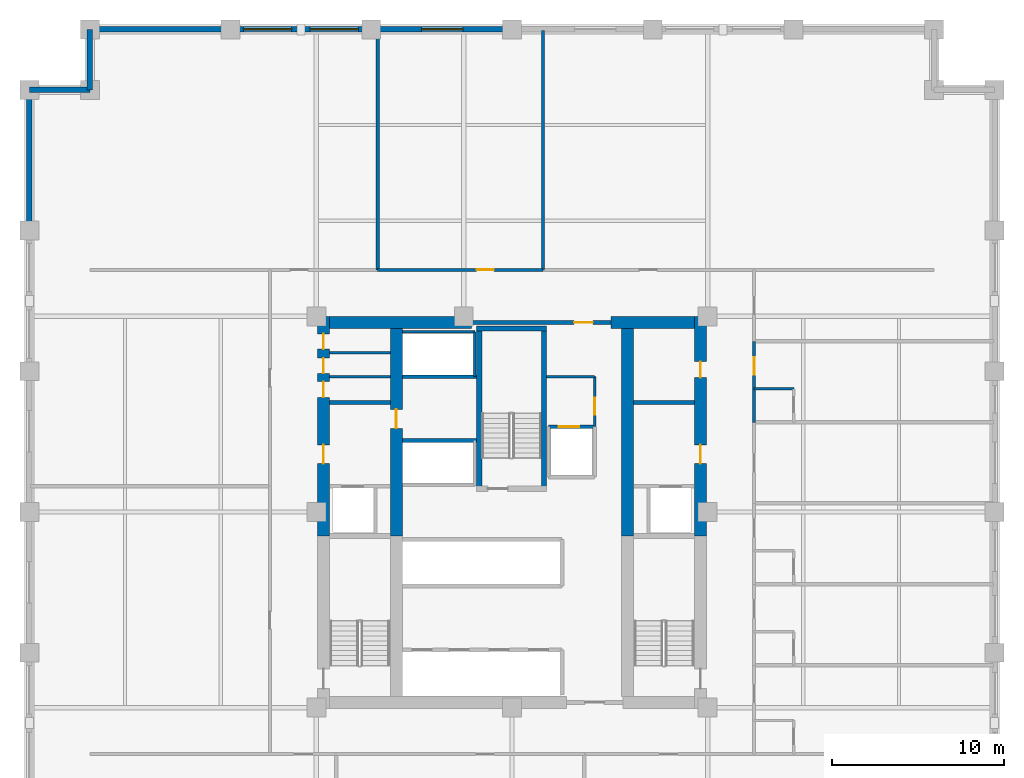
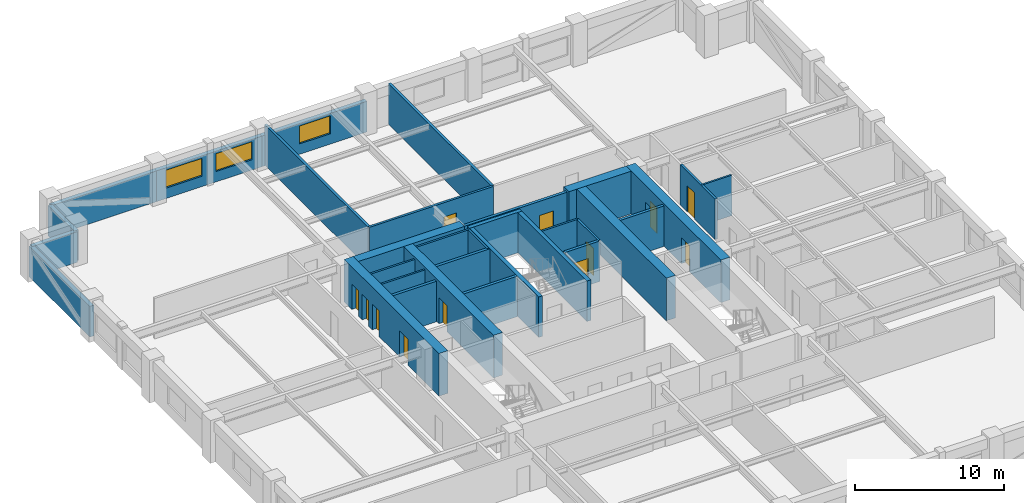
# One storey, part 6 of 9: 32 walls, 12 doors, 3 windows, 15 openings.
"""IFC4 building model written with IfcOpenShell, lengths in metres."""

from ifc_helpers import new_model, si_unit, direction, frame, frame_2d, origin, place, context, subcontext, project, spatial, rectangle, extrude, material, layer, layer_set, type_object, element, fill, save


model = new_model("IFC4")

# Units and contexts
model_context = context("Model", 3, precision=1e-05, world=origin(), true_north=direction((0.0, 1.0)))
body_context = subcontext(model_context, "Body", "Model", "MODEL_VIEW")
ifc_project = project(units=[si_unit("LENGTHUNIT", "METRE"), si_unit("AREAUNIT", "SQUARE_METRE"), si_unit("VOLUMEUNIT", "CUBIC_METRE"), si_unit("PLANEANGLEUNIT", "RADIAN"), si_unit("MASSUNIT", "GRAM", prefix="KILO")], contexts=[model_context])

# Site, building, storey
site_placement = place(None, origin())
site = spatial("IfcSite", under=ifc_project, at=site_placement, CompositionType="ELEMENT")
building_placement = place(site_placement, origin())
building = spatial("IfcBuilding", under=site, at=building_placement, Name="Nhamokura Convention Tower", CompositionType="ELEMENT")
storey_placement = place(building_placement, frame((0.0, 0.0, 66.85009765625)))
storey = spatial("IfcBuildingStorey", under=building, at=storey_placement, Name="L15", CompositionType="ELEMENT", Elevation=66.85009765625)

# Walls
ifc_material_1 = material(Name="Moisture-resistant tile-backer partition", Category="masonry")
ifc_layer_1 = layer(ifc_material_1, 0.139892578125)
ifc_layer_set_1 = layer_set([ifc_layer_1], Name="BathroomWetWall_140")
wall_type_1 = type_object("IfcWallType", Name="BathroomWetWall_140", PredefinedType="STANDARD", material=ifc_layer_set_1)
wall_1_placement = place(storey_placement, frame((21.409912109375, 39.85009765625, 0.0), z_axis=(0.0, 0.0, 1.0), x_axis=(1.0, 0.0, 0.0)))
element("IfcWall", 1, at=wall_1_placement, inside=storey, type_object=wall_type_1, Name="L15 Wall INT-L15-CWNW1", PredefinedType="STANDARD", context=body_context, shape_type="SweptSolid", body=[
    extrude(rectangle(XDim=3.530029296875, YDim=0.139892578125, at=frame_2d((1.76513671875, 0.0))), origin(), (0.0, 0.0, 1.0), 3.31982421875),
])
wall_2_placement = place(storey_placement, frame((46.050048828125, 39.14990234375, 0.0), z_axis=(0.0, 0.0, 1.0), x_axis=(1.0, 0.0, 0.0)))
element("IfcWall", 2, at=wall_2_placement, inside=storey, type_object=wall_type_1, Name="L15 Wall INT-L15-BW-E04N", PredefinedType="STANDARD", context=body_context, shape_type="SweptSolid", body=[
    extrude(rectangle(XDim=2.300048828125, YDim=0.139892578125, at=frame_2d((1.14990234375, 0.0))), origin(), (0.0, 0.0, 1.0), 3.31982421875),
])
ifc_material_2 = material(Name="Bronze-pigmented precast concrete C45/55", Category="concrete")
ifc_layer_2 = layer(ifc_material_2, 0.320068359375)
ifc_layer_set_2 = layer_set([ifc_layer_2], Name="BronzePrecastSpandrel_320")
wall_type_2 = type_object("IfcWallType", Name="BronzePrecastSpandrel_320", PredefinedType="USERDEFINED", material=ifc_layer_set_2)
wall_3_placement = place(storey_placement, frame((7.5, 60.0, 0.0), z_axis=(0.0, 0.0, 1.0), x_axis=(1.0, 0.0, 0.0)))
element("IfcWall", 3, at=wall_3_placement, inside=storey, type_object=wall_type_2, Name="L15 Braced-Bay Precast Wall NORTH 0", ObjectType="SPANDREL_WALL", PredefinedType="USERDEFINED", context=body_context, shape_type="SweptSolid", body=[
    extrude(rectangle(XDim=8.166748046875, YDim=0.320068359375, at=frame_2d((4.08349609375, 0.0))), origin(), (0.0, 0.0, 1.0), 2.52001953125),
])

# Wall, openings, windows
wall_4_placement = place(storey_placement, frame((15.666748046875, 60.0, 0.0), z_axis=(0.0, 0.0, 1.0), x_axis=(1.0, 0.0, 0.0)))
wall_4 = element("IfcWall", 4, at=wall_4_placement, inside=storey, type_object=wall_type_2, Name="L15 Masonry-Frame Wall NORTH 1", ObjectType="SPANDREL_WALL", PredefinedType="USERDEFINED", context=body_context, shape_type="SweptSolid", body=[
    extrude(rectangle(XDim=8.16650390625, YDim=0.320068359375, at=frame_2d((4.083251953125, 0.0))), origin(), (0.0, 0.0, 1.0), 2.52001953125),
])
opening_1_placement = place(wall_4_placement, frame((0.74169921875, 0.0, 0.85009765625)))
opening_1 = element("IfcOpeningElement", 5, at=opening_1_placement, cuts=wall_4, Name="Opening W-04", PredefinedType="OPENING", context=body_context, shape_type="SweptSolid", body=[
    extrude(rectangle(XDim=2.800048828125, YDim=1.469970703125, at=frame_2d((1.39990234375, 0.73486328125))), frame((0.0, 0.169921875, 0.0), z_axis=(0.0, -1.0, 0.0), x_axis=(1.0, 0.0, 0.0)), (0.0, 0.0, 1.0), 0.340087890625),
])
opening_2_placement = place(wall_4_placement, frame((4.625, 0.0, 0.85009765625)))
opening_2 = element("IfcOpeningElement", 6, at=opening_2_placement, cuts=wall_4, Name="Opening W-04", PredefinedType="OPENING", context=body_context, shape_type="SweptSolid", body=[
    extrude(rectangle(XDim=2.800048828125, YDim=1.469970703125, at=frame_2d((1.39990234375, 0.73486328125))), frame((0.0, 0.169921875, 0.0), z_axis=(0.0, -1.0, 0.0), x_axis=(1.0, 0.0, 0.0)), (0.0, 0.0, 1.0), 0.340087890625),
])
ifc_material_3 = material(Name="Solar-control bronze low-E double glass", Category="glass")
window_type_1 = type_object("IfcWindowType", Name="HotelSuiteWindow_2800", PartitioningType="DOUBLE_PANEL_VERTICAL", PredefinedType="WINDOW", material=ifc_material_3)
window_1_placement = place(opening_1_placement, origin())
window_1 = element("IfcWindow", 7, at=window_1_placement, inside=storey, type_object=window_type_1, Name="L15 Facade Window NORTH 1-1", OverallHeight=1.469970703125, OverallWidth=2.800048828125, PartitioningType="SINGLE_PANEL", PredefinedType="WINDOW", context=body_context, shape_type="SweptSolid", body=[
    extrude(rectangle(XDim=2.800048828125, YDim=1.469970703125, at=frame_2d((1.39990234375, 0.73486328125))), frame((0.0, 0.030029296875, 0.0), z_axis=(0.0, -1.0, 0.0), x_axis=(1.0, 0.0, 0.0)), (0.0, 0.0, 1.0), 0.06005859375),
])
fill(opening_1, window_1)
window_2_placement = place(opening_2_placement, origin())
window_2 = element("IfcWindow", 8, at=window_2_placement, inside=storey, type_object=window_type_1, Name="L15 Facade Window NORTH 1-2", OverallHeight=1.469970703125, OverallWidth=2.800048828125, PartitioningType="SINGLE_PANEL", PredefinedType="WINDOW", context=body_context, shape_type="SweptSolid", body=[
    extrude(rectangle(XDim=2.800048828125, YDim=1.469970703125, at=frame_2d((1.39990234375, 0.73486328125))), frame((0.0, 0.030029296875, 0.0), z_axis=(0.0, -1.0, 0.0), x_axis=(1.0, 0.0, 0.0)), (0.0, 0.0, 1.0), 0.06005859375),
])
fill(opening_2, window_2)

# Wall, opening, window
wall_5_placement = place(storey_placement, frame((23.833251953125, 60.0, 0.0), z_axis=(0.0, 0.0, 1.0), x_axis=(1.0, 0.0, 0.0)))
wall_5 = element("IfcWall", 9, at=wall_5_placement, inside=storey, type_object=wall_type_2, Name="L15 Masonry-Frame Wall NORTH 2", ObjectType="SPANDREL_WALL", PredefinedType="USERDEFINED", context=body_context, shape_type="SweptSolid", body=[
    extrude(rectangle(XDim=8.166748046875, YDim=0.320068359375, at=frame_2d((4.08349609375, 0.0))), origin(), (0.0, 0.0, 1.0), 2.52001953125),
])
opening_3_placement = place(wall_5_placement, frame((2.916748046875, 0.0, 0.85009765625)))
opening_3 = element("IfcOpeningElement", 10, at=opening_3_placement, cuts=wall_5, Name="Opening W-03", PredefinedType="OPENING", context=body_context, shape_type="SweptSolid", body=[
    extrude(rectangle(XDim=2.39990234375, YDim=1.469970703125, at=frame_2d((1.199951171875, 0.73486328125))), frame((0.0, 0.169921875, 0.0), z_axis=(0.0, -1.0, 0.0), x_axis=(1.0, 0.0, 0.0)), (0.0, 0.0, 1.0), 0.340087890625),
])
ifc_material_4 = material(Name="Solar-control bronze low-E double glass", Category="glass")
window_type_2 = type_object("IfcWindowType", Name="HotelBayWindow_2400", PartitioningType="DOUBLE_PANEL_VERTICAL", PredefinedType="WINDOW", material=ifc_material_4)
window_3_placement = place(opening_3_placement, origin())
window_3 = element("IfcWindow", 11, at=window_3_placement, inside=storey, type_object=window_type_2, Name="L15 Facade Window NORTH 2", OverallHeight=1.469970703125, OverallWidth=2.39990234375, PartitioningType="SINGLE_PANEL", PredefinedType="WINDOW", context=body_context, shape_type="SweptSolid", body=[
    extrude(rectangle(XDim=2.39990234375, YDim=1.469970703125, at=frame_2d((1.199951171875, 0.73486328125))), frame((0.0, 0.030029296875, 0.0), z_axis=(0.0, -1.0, 0.0), x_axis=(1.0, 0.0, 0.0)), (0.0, 0.0, 1.0), 0.06005859375),
])
fill(opening_3, window_3)

# Walls
wall_6_placement = place(storey_placement, frame((4.0, 48.333251953125, 0.0), z_axis=(0.0, 0.0, 1.0), x_axis=(0.0, 1.0, 0.0)))
element("IfcWall", 12, at=wall_6_placement, inside=storey, type_object=wall_type_2, Name="L15 Braced-Bay Precast Wall WEST 5", ObjectType="SPANDREL_WALL", PredefinedType="USERDEFINED", context=body_context, shape_type="SweptSolid", body=[
    extrude(rectangle(XDim=8.166748046875, YDim=0.320068359375, at=frame_2d((4.08349609375, 0.0))), origin(), (0.0, 0.0, 1.0), 2.52001953125),
])
for number, where, z_axis, x_axis, name in (
    (13, (7.5, 56.5, 0.0), (0.0, 0.0, 1.0), (0.0, 1.0, 0.0), "L15 Notched Corner Wall NW1"),
    (14, (4.0, 56.5, 0.0), (0.0, 0.0, 1.0), (1.0, 0.0, 0.0), "L15 Notched Corner Wall NW2"),
):
    element("IfcWall", number, at=place(storey_placement, frame(where, z_axis=z_axis, x_axis=x_axis)), inside=storey, type_object=wall_type_2, Name=name, ObjectType="SPANDREL_WALL", PredefinedType="USERDEFINED", context=body_context, shape_type="SweptSolid", body=[
        extrude(rectangle(XDim=3.5, YDim=0.320068359375, at=frame_2d((1.75, 0.0))), origin(), (0.0, 0.0, 1.0), 2.52001953125),
    ])

# Wall, openings, doors
ifc_material_5 = material(Name="Concrete C70/85", Category="concrete")
ifc_layer_3 = layer(ifc_material_5, 0.699951171875)
ifc_layer_set_3 = layer_set([ifc_layer_3], Name="CoreShearWall_700")
wall_type_3 = type_object("IfcWallType", Name="CoreShearWall_700", PredefinedType="SHEAR", material=ifc_layer_set_3)
wall_7_placement = place(storey_placement, frame((21.06005859375, 30.60009765625, 0.0), z_axis=(0.0, 0.0, 1.0), x_axis=(0.0, 1.0, 0.0)))
wall_7 = element("IfcWall", 15, at=wall_7_placement, inside=storey, type_object=wall_type_3, Name="L15 Core Shear Wall CW-WN", PredefinedType="SHEAR", context=body_context, shape_type="SweptSolid", body=[
    extrude(rectangle(XDim=12.75, YDim=0.699951171875, at=frame_2d((6.375, 0.0))), origin(), (0.0, 0.0, 1.0), 3.5),
])
opening_4_placement = place(wall_7_placement, frame((4.199951171875, 0.0, 0.0)))
opening_4 = element("IfcOpeningElement", 16, at=opening_4_placement, cuts=wall_7, Name="Opening D-05", PredefinedType="OPENING", context=body_context, shape_type="SweptSolid", body=[
    extrude(rectangle(XDim=1.10009765625, YDim=2.14990234375, at=frame_2d((0.550048828125, 1.074951171875))), frame((0.0, 0.35986328125, 0.0), z_axis=(0.0, -1.0, 0.0), x_axis=(1.0, 0.0, 0.0)), (0.0, 0.0, 1.0), 0.719970703125),
])
opening_5_placement = place(wall_7_placement, frame((8.050048828125, 0.0, 0.0)))
opening_5 = element("IfcOpeningElement", 17, at=opening_5_placement, cuts=wall_7, Name="Opening D-10", PredefinedType="OPENING", context=body_context, shape_type="SweptSolid", body=[
    extrude(rectangle(XDim=0.919921875, YDim=2.10009765625, at=frame_2d((0.4599609375, 1.050048828125))), frame((0.0, 0.35986328125, 0.0), z_axis=(0.0, -1.0, 0.0), x_axis=(1.0, 0.0, 0.0)), (0.0, 0.0, 1.0), 0.719970703125),
])
opening_6_placement = place(wall_7_placement, frame((9.449951171875, 0.0, 0.0)))
opening_6 = element("IfcOpeningElement", 18, at=opening_6_placement, cuts=wall_7, Name="Opening D-11", PredefinedType="OPENING", context=body_context, shape_type="SweptSolid", body=[
    extrude(rectangle(XDim=0.8798828125, YDim=2.10009765625, at=frame_2d((0.43994140625, 1.050048828125))), frame((0.0, 0.35986328125, 0.0), z_axis=(0.0, -1.0, 0.0), x_axis=(1.0, 0.0, 0.0)), (0.0, 0.0, 1.0), 0.719970703125),
])
opening_7_placement = place(wall_7_placement, frame((10.85009765625, 0.0, 0.0)))
opening_7 = element("IfcOpeningElement", 19, at=opening_7_placement, cuts=wall_7, Name="Opening D-11", PredefinedType="OPENING", context=body_context, shape_type="SweptSolid", body=[
    extrude(rectangle(XDim=0.8798828125, YDim=2.10009765625, at=frame_2d((0.43994140625, 1.050048828125))), frame((0.0, 0.35986328125, 0.0), z_axis=(0.0, -1.0, 0.0), x_axis=(1.0, 0.0, 0.0)), (0.0, 0.0, 1.0), 0.719970703125),
])
ifc_material_6 = material(Name="Solid oak hardwood", Category="wood")
door_type_1 = type_object("IfcDoorType", Name="AccessibleWCDoor_920", OperationType="NOTDEFINED", PredefinedType="DOOR", material=ifc_material_6)
door_1_placement = place(opening_5_placement, origin())
door_1 = element("IfcDoor", 20, at=door_1_placement, inside=storey, type_object=door_type_1, Name="L15 Core Door INT-L15-D-AWC", OperationType="SINGLE_SWING_LEFT", OverallHeight=2.10009765625, OverallWidth=0.919921875, PredefinedType="DOOR", context=body_context, shape_type="SweptSolid", body=[
    extrude(rectangle(XDim=0.919921875, YDim=2.10009765625, at=frame_2d((0.4599609375, 1.050048828125))), frame((0.0, 0.02490234375, 0.0), z_axis=(0.0, -1.0, 0.0), x_axis=(1.0, 0.0, 0.0)), (0.0, 0.0, 1.0), 0.050048828125),
])
fill(opening_5, door_1)
ifc_material_7 = material(Name="Solid oak hardwood", Category="wood")
door_type_2 = type_object("IfcDoorType", Name="BathroomDoor_880", OperationType="NOTDEFINED", PredefinedType="DOOR", material=ifc_material_7)
door_2_placement = place(opening_6_placement, origin())
door_2 = element("IfcDoor", 21, at=door_2_placement, inside=storey, type_object=door_type_2, Name="L15 Core Door INT-L15-D-CLN", OperationType="SINGLE_SWING_RIGHT", OverallHeight=2.10009765625, OverallWidth=0.8798828125, PredefinedType="DOOR", context=body_context, shape_type="SweptSolid", body=[
    extrude(rectangle(XDim=0.8798828125, YDim=2.10009765625, at=frame_2d((0.43994140625, 1.050048828125))), frame((0.0, 0.02490234375, 0.0), z_axis=(0.0, -1.0, 0.0), x_axis=(1.0, 0.0, 0.0)), (0.0, 0.0, 1.0), 0.050048828125),
])
fill(opening_6, door_2)
door_3_placement = place(opening_7_placement, origin())
door_3 = element("IfcDoor", 22, at=door_3_placement, inside=storey, type_object=door_type_2, Name="L15 Core Door INT-L15-D-PNT", OperationType="SINGLE_SWING_LEFT", OverallHeight=2.10009765625, OverallWidth=0.8798828125, PredefinedType="DOOR", context=body_context, shape_type="SweptSolid", body=[
    extrude(rectangle(XDim=0.8798828125, YDim=2.10009765625, at=frame_2d((0.43994140625, 1.050048828125))), frame((0.0, 0.02490234375, 0.0), z_axis=(0.0, -1.0, 0.0), x_axis=(1.0, 0.0, 0.0)), (0.0, 0.0, 1.0), 0.050048828125),
])
fill(opening_7, door_3)
ifc_material_8 = material(Name="Fire-rated steel door", Category="steel")
door_type_3 = type_object("IfcDoorType", Name="FireLobbyDoor_1100", OperationType="NOTDEFINED", PredefinedType="DOOR", material=ifc_material_8)
door_4_placement = place(opening_4_placement, origin())
door_4 = element("IfcDoor", 23, at=door_4_placement, inside=storey, type_object=door_type_3, Name="L15 Core Door INT-L15-D-FFLW", OperationType="SINGLE_SWING_RIGHT", OverallHeight=2.14990234375, OverallWidth=1.10009765625, PredefinedType="DOOR", context=body_context, shape_type="SweptSolid", body=[
    extrude(rectangle(XDim=1.10009765625, YDim=2.14990234375, at=frame_2d((0.550048828125, 1.074951171875))), frame((0.0, 0.02490234375, 0.0), z_axis=(0.0, -1.0, 0.0), x_axis=(1.0, 0.0, 0.0)), (0.0, 0.0, 1.0), 0.050048828125),
])
fill(opening_4, door_4)

wall_8_placement = place(storey_placement, frame((42.93994140625, 30.60009765625, 0.0), z_axis=(0.0, 0.0, 1.0), x_axis=(0.0, 1.0, 0.0)))
wall_8 = element("IfcWall", 24, at=wall_8_placement, inside=storey, type_object=wall_type_3, Name="L15 Core Shear Wall CW-EN", PredefinedType="SHEAR", context=body_context, shape_type="SweptSolid", body=[
    extrude(rectangle(XDim=12.75, YDim=0.699951171875, at=frame_2d((6.375, 0.0))), origin(), (0.0, 0.0, 1.0), 3.5),
])
opening_8_placement = place(wall_8_placement, frame((4.199951171875, 0.0, 0.0)))
opening_8 = element("IfcOpeningElement", 25, at=opening_8_placement, cuts=wall_8, Name="Opening D-05", PredefinedType="OPENING", context=body_context, shape_type="SweptSolid", body=[
    extrude(rectangle(XDim=1.10009765625, YDim=2.14990234375, at=frame_2d((0.550048828125, 1.074951171875))), frame((0.0, 0.35986328125, 0.0), z_axis=(0.0, -1.0, 0.0), x_axis=(1.0, 0.0, 0.0)), (0.0, 0.0, 1.0), 0.719970703125),
])
opening_9_placement = place(wall_8_placement, frame((9.199951171875, 0.0, 0.0)))
opening_9 = element("IfcOpeningElement", 26, at=opening_9_placement, cuts=wall_8, Name="Opening D-10", PredefinedType="OPENING", context=body_context, shape_type="SweptSolid", body=[
    extrude(rectangle(XDim=0.919921875, YDim=2.10009765625, at=frame_2d((0.4599609375, 1.050048828125))), frame((0.0, 0.35986328125, 0.0), z_axis=(0.0, -1.0, 0.0), x_axis=(1.0, 0.0, 0.0)), (0.0, 0.0, 1.0), 0.719970703125),
])
door_5_placement = place(opening_9_placement, origin())
door_5 = element("IfcDoor", 27, at=door_5_placement, inside=storey, type_object=door_type_1, Name="L15 Core Door INT-L15-D-UWC", OperationType="SINGLE_SWING_RIGHT", OverallHeight=2.10009765625, OverallWidth=0.919921875, PredefinedType="DOOR", context=body_context, shape_type="SweptSolid", body=[
    extrude(rectangle(XDim=0.919921875, YDim=2.10009765625, at=frame_2d((0.4599609375, 1.050048828125))), frame((0.0, 0.02490234375, 0.0), z_axis=(0.0, -1.0, 0.0), x_axis=(1.0, 0.0, 0.0)), (0.0, 0.0, 1.0), 0.050048828125),
])
fill(opening_9, door_5)
door_6_placement = place(opening_8_placement, origin())
door_6 = element("IfcDoor", 28, at=door_6_placement, inside=storey, type_object=door_type_3, Name="L15 Core Door INT-L15-D-FFLE", OperationType="SINGLE_SWING_LEFT", OverallHeight=2.14990234375, OverallWidth=1.10009765625, PredefinedType="DOOR", context=body_context, shape_type="SweptSolid", body=[
    extrude(rectangle(XDim=1.10009765625, YDim=2.14990234375, at=frame_2d((0.550048828125, 1.074951171875))), frame((0.0, 0.02490234375, 0.0), z_axis=(0.0, -1.0, 0.0), x_axis=(1.0, 0.0, 0.0)), (0.0, 0.0, 1.0), 0.050048828125),
])
fill(opening_8, door_6)

# Walls
wall_9_placement = place(storey_placement, frame((21.409912109375, 43.0, 0.0), z_axis=(0.0, 0.0, 1.0), x_axis=(1.0, 0.0, 0.0)))
element("IfcWall", 29, at=wall_9_placement, inside=storey, type_object=wall_type_3, Name="L15 Core Shear Wall CW-N1", PredefinedType="SHEAR", context=body_context, shape_type="SweptSolid", body=[
    extrude(rectangle(XDim=8.239990234375, YDim=0.699951171875, at=frame_2d((4.1201171875, 0.0))), origin(), (0.0, 0.0, 1.0), 3.5),
])
wall_10_placement = place(storey_placement, frame((37.75, 43.0, 0.0), z_axis=(0.0, 0.0, 1.0), x_axis=(1.0, 0.0, 0.0)))
element("IfcWall", 30, at=wall_10_placement, inside=storey, type_object=wall_type_3, Name="L15 Core Shear Wall CW-N2", PredefinedType="SHEAR", context=body_context, shape_type="SweptSolid", body=[
    extrude(rectangle(XDim=4.840087890625, YDim=0.699951171875, at=frame_2d((2.419921875, 0.0))), origin(), (0.0, 0.0, 1.0), 3.5),
])

# Wall, opening, door
wall_11_placement = place(storey_placement, frame((25.2900390625, 30.60009765625, 0.0), z_axis=(0.0, 0.0, 1.0), x_axis=(0.0, 1.0, 0.0)))
wall_11 = element("IfcWall", 31, at=wall_11_placement, inside=storey, type_object=wall_type_3, Name="L15 Core Shear Wall CW-IWN", PredefinedType="SHEAR", context=body_context, shape_type="SweptSolid", body=[
    extrude(rectangle(XDim=12.0498046875, YDim=0.699951171875, at=frame_2d((6.02490234375, 0.0))), origin(), (0.0, 0.0, 1.0), 3.5),
])
opening_10_placement = place(wall_11_placement, frame((6.25, 0.0, 0.0)))
opening_10 = element("IfcOpeningElement", 32, at=opening_10_placement, cuts=wall_11, Name="Opening D-05", PredefinedType="OPENING", context=body_context, shape_type="SweptSolid", body=[
    extrude(rectangle(XDim=1.10009765625, YDim=2.14990234375, at=frame_2d((0.550048828125, 1.074951171875))), frame((0.0, 0.35986328125, 0.0), z_axis=(0.0, -1.0, 0.0), x_axis=(1.0, 0.0, 0.0)), (0.0, 0.0, 1.0), 0.719970703125),
])
door_7_placement = place(opening_10_placement, origin())
door_7 = element("IfcDoor", 33, at=door_7_placement, inside=storey, type_object=door_type_3, Name="L15 Core Door INT-L15-D-B3LOB", OperationType="SINGLE_SWING_LEFT", OverallHeight=2.14990234375, OverallWidth=1.10009765625, PredefinedType="DOOR", context=body_context, shape_type="SweptSolid", body=[
    extrude(rectangle(XDim=1.10009765625, YDim=2.14990234375, at=frame_2d((0.550048828125, 1.074951171875))), frame((0.0, 0.02490234375, 0.0), z_axis=(0.0, -1.0, 0.0), x_axis=(1.0, 0.0, 0.0)), (0.0, 0.0, 1.0), 0.050048828125),
])
fill(opening_10, door_7)

# Wall
wall_12_placement = place(storey_placement, frame((38.7099609375, 30.60009765625, 0.0), z_axis=(0.0, 0.0, 1.0), x_axis=(0.0, 1.0, 0.0)))
element("IfcWall", 34, at=wall_12_placement, inside=storey, type_object=wall_type_3, Name="L15 Core Shear Wall CW-IEN", PredefinedType="SHEAR", context=body_context, shape_type="SweptSolid", body=[
    extrude(rectangle(XDim=12.0498046875, YDim=0.699951171875, at=frame_2d((6.02490234375, 0.0))), origin(), (0.0, 0.0, 1.0), 3.5),
])

# Wall, opening, door
ifc_material_9 = material(Name="Fire-rated gypsum and masonry partition", Category="masonry")
ifc_layer_4 = layer(ifc_material_9, 0.179931640625)
ifc_layer_set_4 = layer_set([ifc_layer_4], Name="CorridorRatedWall_180")
wall_type_4 = type_object("IfcWallType", Name="CorridorRatedWall_180", PredefinedType="STANDARD", material=ifc_layer_set_4)
wall_13_placement = place(storey_placement, frame((24.199951171875, 46.050048828125, 0.0), z_axis=(0.0, 0.0, 1.0), x_axis=(1.0, 0.0, 0.0)))
wall_13 = element("IfcWall", 35, at=wall_13_placement, inside=storey, type_object=wall_type_4, Name="L15 Wall INT-L15-CW-N01", PredefinedType="STANDARD", context=body_context, shape_type="SweptSolid", body=[
    extrude(rectangle(XDim=9.60009765625, YDim=0.179931640625, at=frame_2d((4.800048828125, 0.0))), origin(), (0.0, 0.0, 1.0), 3.31982421875),
])
opening_11_placement = place(wall_13_placement, frame((5.75, 0.0, 0.0)))
opening_11 = element("IfcOpeningElement", 36, at=opening_11_placement, cuts=wall_13, Name="Opening D-07", PredefinedType="OPENING", context=body_context, shape_type="SweptSolid", body=[
    extrude(rectangle(XDim=1.0, YDim=2.14990234375, at=frame_2d((0.5, 1.074951171875))), frame((0.0, 0.099853515625, 0.0), z_axis=(0.0, -1.0, 0.0), x_axis=(1.0, 0.0, 0.0)), (0.0, 0.0, 1.0), 0.199951171875),
])
ifc_material_10 = material(Name="Solid oak hardwood", Category="wood")
door_type_4 = type_object("IfcDoorType", Name="HotelSuiteEntryDoor_1000", OperationType="NOTDEFINED", PredefinedType="DOOR", material=ifc_material_10)
door_8_placement = place(opening_11_placement, origin())
door_8 = element("IfcDoor", 37, at=door_8_placement, inside=storey, type_object=door_type_4, Name="L15 Conference Salon N02 Door", OperationType="SINGLE_SWING_RIGHT", OverallHeight=2.14990234375, OverallWidth=1.0, PredefinedType="DOOR", context=body_context, shape_type="SweptSolid", body=[
    extrude(rectangle(XDim=1.0, YDim=2.14990234375, at=frame_2d((0.5, 1.074951171875))), frame((0.0, 0.02490234375, 0.0), z_axis=(0.0, -1.0, 0.0), x_axis=(1.0, 0.0, 0.0)), (0.0, 0.0, 1.0), 0.050048828125),
])
fill(opening_11, door_8)

wall_14_placement = place(storey_placement, frame((46.050048828125, 37.199951171875, 0.0), z_axis=(0.0, 0.0, 1.0), x_axis=(0.0, 1.0, 0.0)))
wall_14 = element("IfcWall", 38, at=wall_14_placement, inside=storey, type_object=wall_type_4, Name="L15 Wall INT-L15-CW-E04", PredefinedType="STANDARD", context=body_context, shape_type="SweptSolid", body=[
    extrude(rectangle(XDim=4.699951171875, YDim=0.179931640625, at=frame_2d((2.35009765625, 0.0))), origin(), (0.0, 0.0, 1.0), 3.31982421875),
])
opening_12_placement = place(wall_14_placement, frame((2.77490234375, 0.0, 0.0)))
opening_12 = element("IfcOpeningElement", 39, at=opening_12_placement, cuts=wall_14, Name="Opening D-07", PredefinedType="OPENING", context=body_context, shape_type="SweptSolid", body=[
    extrude(rectangle(XDim=1.0, YDim=2.14990234375, at=frame_2d((0.5, 1.074951171875))), frame((0.0, 0.099853515625, 0.0), z_axis=(0.0, -1.0, 0.0), x_axis=(1.0, 0.0, 0.0)), (0.0, 0.0, 1.0), 0.199951171875),
])
door_9_placement = place(opening_12_placement, origin())
door_9 = element("IfcDoor", 40, at=door_9_placement, inside=storey, type_object=door_type_4, Name="L15 Guest Room E05 Door", OperationType="SINGLE_SWING_LEFT", OverallHeight=2.14990234375, OverallWidth=1.0, PredefinedType="DOOR", context=body_context, shape_type="SweptSolid", body=[
    extrude(rectangle(XDim=1.0, YDim=2.14990234375, at=frame_2d((0.5, 1.074951171875))), frame((0.0, 0.02490234375, 0.0), z_axis=(0.0, -1.0, 0.0), x_axis=(1.0, 0.0, 0.0)), (0.0, 0.0, 1.0), 0.050048828125),
])
fill(opening_12, door_9)

# Walls
ifc_material_11 = material(Name="Autoclaved concrete blockwork", Category="masonry")
ifc_layer_5 = layer(ifc_material_11, 0.219970703125)
ifc_layer_set_5 = layer_set([ifc_layer_5], Name="FireLobbyWall_220")
wall_type_5 = type_object("IfcWallType", Name="FireLobbyWall_220", PredefinedType="STANDARD", material=ifc_layer_set_5)
for number, where, z_axis, x_axis, name in (
    (41, (21.409912109375, 38.35009765625, 0.0), (0.0, 0.0, 1.0), (1.0, 0.0, 0.0), "L15 Wall INT-L15-FFW-N"),
    (42, (39.06005859375, 38.35009765625, 0.0), (0.0, 0.0, 1.0), (1.0, 0.0, 0.0), "L15 Wall INT-L15-FFE-N"),
):
    element("IfcWall", number, at=place(storey_placement, frame(where, z_axis=z_axis, x_axis=x_axis)), inside=storey, type_object=wall_type_5, Name=name, PredefinedType="STANDARD", context=body_context, shape_type="SweptSolid", body=[
        extrude(rectangle(XDim=3.530029296875, YDim=0.219970703125, at=frame_2d((1.76513671875, 0.0))), origin(), (0.0, 0.0, 1.0), 3.31982421875),
    ])
for number, where, z_axis, x_axis, name in (
    (43, (25.64990234375, 36.14990234375, 0.0), (0.0, 0.0, 1.0), (1.0, 0.0, 0.0), "L15 Wall INT-L15-B3S"),
    (44, (25.64990234375, 39.85009765625, 0.0), (0.0, 0.0, 1.0), (1.0, 0.0, 0.0), "L15 Wall INT-L15-B3N"),
):
    element("IfcWall", number, at=place(storey_placement, frame(where, z_axis=z_axis, x_axis=x_axis)), inside=storey, type_object=wall_type_5, Name=name, PredefinedType="STANDARD", context=body_context, shape_type="SweptSolid", body=[
        extrude(rectangle(XDim=4.300048828125, YDim=0.219970703125, at=frame_2d((2.14990234375, 0.0))), origin(), (0.0, 0.0, 1.0), 3.31982421875),
    ])

# Wall, opening, door
wall_15_placement = place(storey_placement, frame((29.64990234375, 43.0, 0.0), z_axis=(0.0, 0.0, 1.0), x_axis=(1.0, 0.0, 0.0)))
wall_15 = element("IfcWall", 45, at=wall_15_placement, inside=storey, type_object=wall_type_5, Name="L15 Wall INT-L15-CPORT-N", PredefinedType="STANDARD", context=body_context, shape_type="SweptSolid", body=[
    extrude(rectangle(XDim=8.10009765625, YDim=0.219970703125, at=frame_2d((4.050048828125, 0.0))), origin(), (0.0, 0.0, 1.0), 3.31982421875),
])
opening_13_placement = place(wall_15_placement, frame((5.949951171875, 0.0, 0.0)))
opening_13 = element("IfcOpeningElement", 46, at=opening_13_placement, cuts=wall_15, Name="Opening D-05", PredefinedType="OPENING", context=body_context, shape_type="SweptSolid", body=[
    extrude(rectangle(XDim=1.10009765625, YDim=2.14990234375, at=frame_2d((0.550048828125, 1.074951171875))), frame((0.0, 0.119873046875, 0.0), z_axis=(0.0, -1.0, 0.0), x_axis=(1.0, 0.0, 0.0)), (0.0, 0.0, 1.0), 0.239990234375),
])
door_10_placement = place(opening_13_placement, origin())
door_10 = element("IfcDoor", 47, at=door_10_placement, inside=storey, type_object=door_type_3, Name="L15 North Core Lobby Portal Door", OperationType="SINGLE_SWING_RIGHT", OverallHeight=2.14990234375, OverallWidth=1.10009765625, PredefinedType="DOOR", context=body_context, shape_type="SweptSolid", body=[
    extrude(rectangle(XDim=1.10009765625, YDim=2.14990234375, at=frame_2d((0.550048828125, 1.074951171875))), frame((0.0, 0.02490234375, 0.0), z_axis=(0.0, -1.0, 0.0), x_axis=(1.0, 0.0, 0.0)), (0.0, 0.0, 1.0), 0.050048828125),
])
fill(opening_13, door_10)

wall_16_placement = place(storey_placement, frame((34.1201171875, 36.949951171875, 0.0), z_axis=(0.0, 0.0, 1.0), x_axis=(1.0, 0.0, 0.0)))
wall_16 = element("IfcWall", 48, at=wall_16_placement, inside=storey, type_object=wall_type_5, Name="L15 Wall INT-L15-LSN", PredefinedType="STANDARD", context=body_context, shape_type="SweptSolid", body=[
    extrude(rectangle(XDim=2.679931640625, YDim=0.219970703125, at=frame_2d((1.33984375, 0.0))), origin(), (0.0, 0.0, 1.0), 3.31982421875),
])
opening_14_placement = place(wall_16_placement, frame((0.580078125, 0.0, 0.0)))
opening_14 = element("IfcOpeningElement", 49, at=opening_14_placement, cuts=wall_16, Name="Opening LD-02", PredefinedType="OPENING", context=body_context, shape_type="SweptSolid", body=[
    extrude(rectangle(XDim=1.199951171875, YDim=2.199951171875, at=frame_2d((0.60009765625, 1.10009765625))), frame((0.0, 0.119873046875, 0.0), z_axis=(0.0, -1.0, 0.0), x_axis=(1.0, 0.0, 0.0)), (0.0, 0.0, 1.0), 0.239990234375),
])
ifc_material_12 = material(Name="Anodised bronze stainless steel", Category="steel")
door_type_5 = type_object("IfcDoorType", Name="LiftLandingDoor_FireService", OperationType="DOUBLE_DOOR_SLIDING", PredefinedType="DOOR", material=ifc_material_12)
door_11_placement = place(opening_14_placement, origin())
door_11 = element("IfcDoor", 50, at=door_11_placement, inside=storey, type_object=door_type_5, Name="L15 Service Lift LS-01 Door", OperationType="DOUBLE_DOOR_SLIDING", OverallHeight=2.199951171875, OverallWidth=1.199951171875, PredefinedType="DOOR", context=body_context, shape_type="SweptSolid", body=[
    extrude(rectangle(XDim=1.199951171875, YDim=2.199951171875, at=frame_2d((0.60009765625, 1.10009765625))), frame((0.0, 0.02490234375, 0.0), z_axis=(0.0, -1.0, 0.0), x_axis=(1.0, 0.0, 0.0)), (0.0, 0.0, 1.0), 0.050048828125),
])
fill(opening_14, door_11)

# Walls
ifc_material_13 = material(Name="Acoustic twin-stud gypsum partition", Category="masonry")
ifc_layer_6 = layer(ifc_material_13, 0.199951171875)
ifc_layer_set_6 = layer_set([ifc_layer_6], Name="HotelDemisingWall_200")
wall_type_6 = type_object("IfcWallType", Name="HotelDemisingWall_200", PredefinedType="STANDARD", material=ifc_layer_set_6)
for number, where, z_axis, x_axis, name in (
    (51, (24.199951171875, 46.050048828125, 0.0), (0.0, 0.0, 1.0), (0.0, 1.0, 0.0), "L15 Wall INT-L15-RW-N01"),
    (52, (33.800048828125, 46.050048828125, 0.0), (0.0, 0.0, 1.0), (0.0, 1.0, 0.0), "L15 Wall INT-L15-RW-N02"),
):
    element("IfcWall", number, at=place(storey_placement, frame(where, z_axis=z_axis, x_axis=x_axis)), inside=storey, type_object=wall_type_6, Name=name, PredefinedType="STANDARD", context=body_context, shape_type="SweptSolid", body=[
        extrude(rectangle(XDim=13.889892578125, YDim=0.199951171875, at=frame_2d((6.94482421875, 0.0))), origin(), (0.0, 0.0, 1.0), 3.31982421875),
    ])
ifc_material_14 = material(Name="Acoustic gypsum stud partition", Category="masonry")
ifc_layer_7 = layer(ifc_material_14, 0.14990234375)
ifc_layer_set_7 = layer_set([ifc_layer_7], Name="InteriorPartition_150")
wall_type_7 = type_object("IfcWallType", Name="InteriorPartition_150", PredefinedType="STANDARD", material=ifc_layer_set_7)
wall_17_placement = place(storey_placement, frame((21.409912109375, 41.25, 0.0), z_axis=(0.0, 0.0, 1.0), x_axis=(1.0, 0.0, 0.0)))
element("IfcWall", 53, at=wall_17_placement, inside=storey, type_object=wall_type_7, Name="L15 Wall INT-L15-CWNW2", PredefinedType="STANDARD", context=body_context, shape_type="SweptSolid", body=[
    extrude(rectangle(XDim=3.530029296875, YDim=0.14990234375, at=frame_2d((1.76513671875, 0.0))), origin(), (0.0, 0.0, 1.0), 3.31982421875),
])
wall_18_placement = place(storey_placement, frame((34.0, 39.85009765625, 0.0), z_axis=(0.0, 0.0, 1.0), x_axis=(1.0, 0.0, 0.0)))
element("IfcWall", 54, at=wall_18_placement, inside=storey, type_object=wall_type_7, Name="L15 Wall INT-L15-NE-TELN", PredefinedType="STANDARD", context=body_context, shape_type="SweptSolid", body=[
    extrude(rectangle(XDim=2.800048828125, YDim=0.14990234375, at=frame_2d((1.39990234375, 0.0))), origin(), (0.0, 0.0, 1.0), 3.31982421875),
])

# Wall, opening, door
wall_19_placement = place(storey_placement, frame((36.800048828125, 36.949951171875, 0.0), z_axis=(0.0, 0.0, 1.0), x_axis=(0.0, 1.0, 0.0)))
wall_19 = element("IfcWall", 55, at=wall_19_placement, inside=storey, type_object=wall_type_7, Name="L15 Wall INT-L15-NE-TELE", PredefinedType="STANDARD", context=body_context, shape_type="SweptSolid", body=[
    extrude(rectangle(XDim=2.900146484375, YDim=0.14990234375, at=frame_2d((1.4501953125, 0.0))), origin(), (0.0, 0.0, 1.0), 3.31982421875),
])
opening_15_placement = place(wall_19_placement, frame((0.699951171875, 0.0, 0.0)))
opening_15 = element("IfcOpeningElement", 56, at=opening_15_placement, cuts=wall_19, Name="Opening D-08", PredefinedType="OPENING", context=body_context, shape_type="SweptSolid", body=[
    extrude(rectangle(XDim=0.97998046875, YDim=2.199951171875, at=frame_2d((0.489990234375, 1.10009765625))), frame((0.0, 0.0849609375, 0.0), z_axis=(0.0, -1.0, 0.0), x_axis=(1.0, 0.0, 0.0)), (0.0, 0.0, 1.0), 0.169921875),
])
ifc_material_15 = material(Name="Solid oak hardwood", Category="wood")
door_type_6 = type_object("IfcDoorType", Name="OfficeEntryDoor_980", OperationType="NOTDEFINED", PredefinedType="DOOR", material=ifc_material_15)
door_12_placement = place(opening_15_placement, origin())
door_12 = element("IfcDoor", 57, at=door_12_placement, inside=storey, type_object=door_type_6, Name="L15 Core Telecom Door", OperationType="SINGLE_SWING_LEFT", OverallHeight=2.199951171875, OverallWidth=0.97998046875, PredefinedType="DOOR", context=body_context, shape_type="SweptSolid", body=[
    extrude(rectangle(XDim=0.97998046875, YDim=2.199951171875, at=frame_2d((0.489990234375, 1.10009765625))), frame((0.0, 0.02490234375, 0.0), z_axis=(0.0, -1.0, 0.0), x_axis=(1.0, 0.0, 0.0)), (0.0, 0.0, 1.0), 0.050048828125),
])
fill(opening_15, door_12)

# Walls
wall_20_placement = place(storey_placement, frame((25.64990234375, 42.449951171875, 0.0), z_axis=(0.0, 0.0, 1.0), x_axis=(1.0, 0.0, 0.0)))
element("IfcWall", 58, at=wall_20_placement, inside=storey, type_object=wall_type_7, Name="L15 Wall INT-L15-B3B-N", PredefinedType="STANDARD", context=body_context, shape_type="SweptSolid", body=[
    extrude(rectangle(XDim=4.2001953125, YDim=0.14990234375, at=frame_2d((2.10009765625, 0.0))), origin(), (0.0, 0.0, 1.0), 3.31982421875),
])
wall_21_placement = place(storey_placement, frame((29.85009765625, 39.85009765625, 0.0), z_axis=(0.0, 0.0, 1.0), x_axis=(0.0, 1.0, 0.0)))
element("IfcWall", 59, at=wall_21_placement, inside=storey, type_object=wall_type_7, Name="L15 Wall INT-L15-B3B-E", PredefinedType="STANDARD", context=body_context, shape_type="SweptSolid", body=[
    extrude(rectangle(XDim=2.599853515625, YDim=0.14990234375, at=frame_2d((1.2998046875, 0.0))), origin(), (0.0, 0.0, 1.0), 3.31982421875),
])
ifc_material_16 = material(Name="Concrete C50/60", Category="concrete")
ifc_layer_8 = layer(ifc_material_16, 0.300048828125)
ifc_layer_set_8 = layer_set([ifc_layer_8], Name="ShaftEnclosureWall_300")
wall_type_8 = type_object("IfcWallType", Name="ShaftEnclosureWall_300", PredefinedType="SHEAR", material=ifc_layer_set_8)
for number, where, z_axis, x_axis, name in (
    (60, (30.10009765625, 33.199951171875, 0.0), (0.0, 0.0, 1.0), (0.0, 1.0, 0.0), "L15 Wall INT-L15-ST03W"),
    (61, (33.85009765625, 33.199951171875, 0.0), (0.0, 0.0, 1.0), (0.0, 1.0, 0.0), "L15 Wall INT-L15-ST03E"),
):
    element("IfcWall", number, at=place(storey_placement, frame(where, z_axis=z_axis, x_axis=x_axis)), inside=storey, type_object=wall_type_8, Name=name, PredefinedType="SHEAR", context=body_context, shape_type="SweptSolid", body=[
        extrude(rectangle(XDim=9.60009765625, YDim=0.300048828125, at=frame_2d((4.800048828125, 0.0))), origin(), (0.0, 0.0, 1.0), 3.31982421875),
    ])
wall_22_placement = place(storey_placement, frame((29.949951171875, 42.64990234375, 0.0), z_axis=(0.0, 0.0, 1.0), x_axis=(1.0, 0.0, 0.0)))
element("IfcWall", 62, at=wall_22_placement, inside=storey, type_object=wall_type_8, Name="L15 Wall INT-L15-ST03N", PredefinedType="SHEAR", context=body_context, shape_type="SweptSolid", body=[
    extrude(rectangle(XDim=4.050048828125, YDim=0.300048828125, at=frame_2d((2.02490234375, 0.0))), origin(), (0.0, 0.0, 1.0), 3.31982421875),
])

save(model, "model.ifc")
